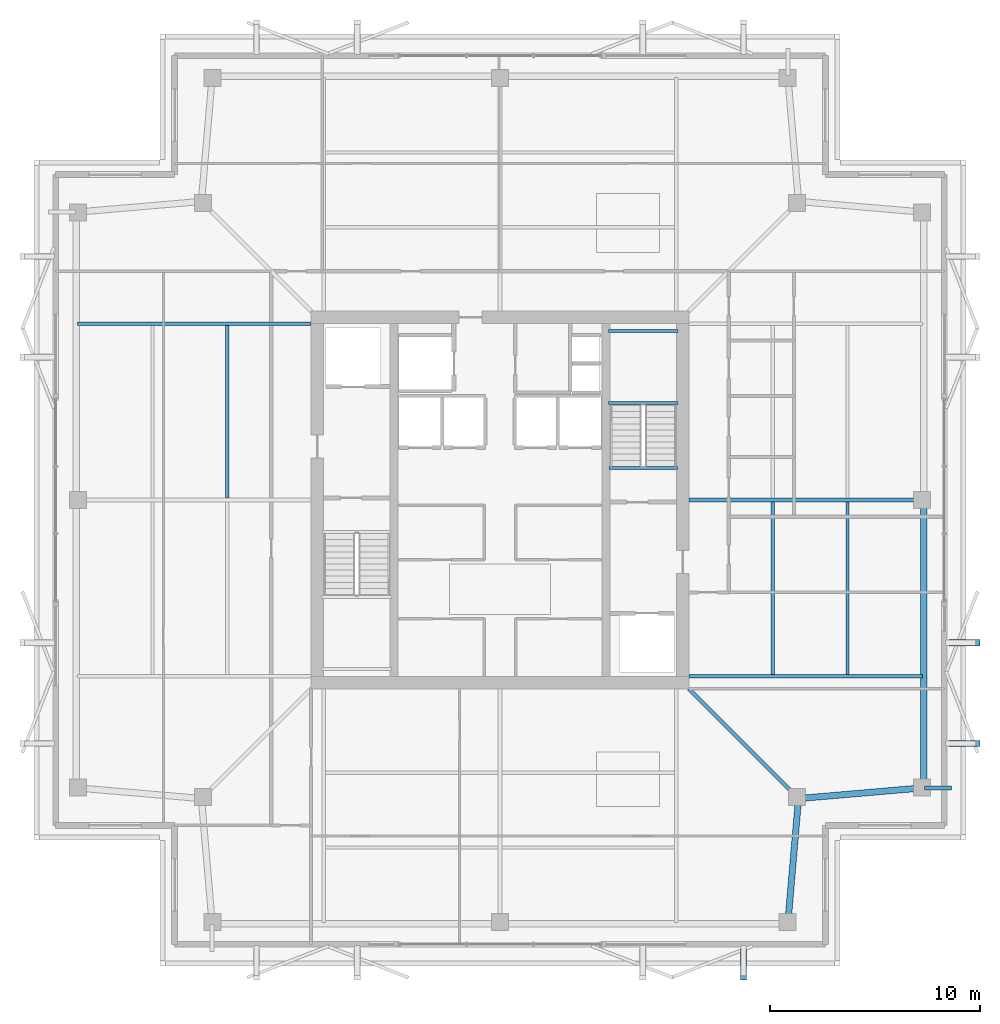
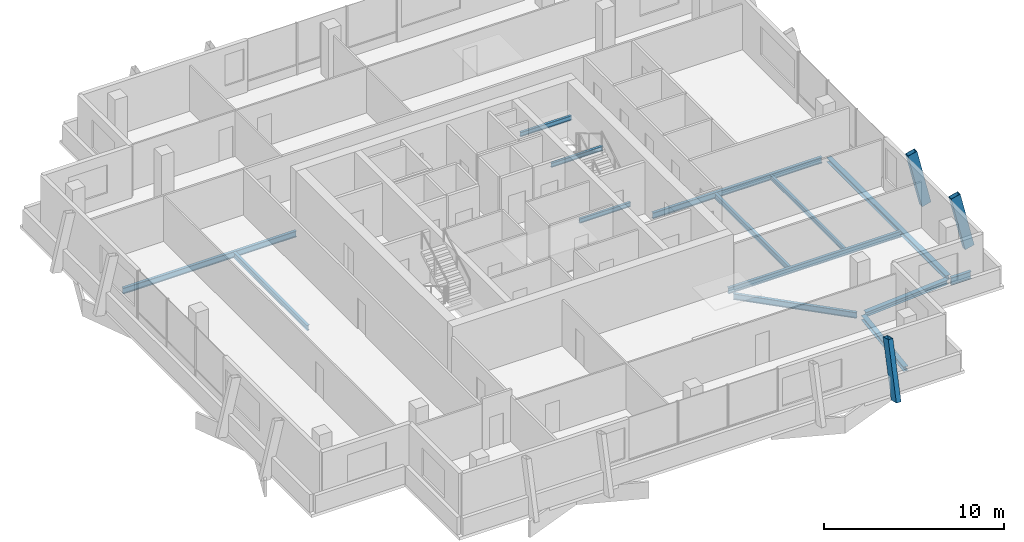
# One storey, part 8 of 18: 14 beams, 3 members.
"""IFC4 building model written with IfcOpenShell, lengths in metres."""

from ifc_helpers import new_model, si_unit, direction, frame, origin, origin_2d, place, context, subcontext, project, spatial, hollow_rectangle, i_section, extrude, material, material_profile, profile_set, type_object, element, save


model = new_model("IFC4")

# Units and contexts
model_context = context("Model", 3, precision=1e-05, world=origin(), true_north=direction((0.0, 1.0)))
body_context = subcontext(model_context, "Body", "Model", "MODEL_VIEW")
ifc_project = project(units=[si_unit("LENGTHUNIT", "METRE"), si_unit("AREAUNIT", "SQUARE_METRE"), si_unit("VOLUMEUNIT", "CUBIC_METRE"), si_unit("PLANEANGLEUNIT", "RADIAN"), si_unit("MASSUNIT", "GRAM", prefix="KILO")], contexts=[model_context])

# Site, building, storey
site_placement = place(None, origin())
site = spatial("IfcSite", under=ifc_project, at=site_placement, CompositionType="ELEMENT")
building_placement = place(site_placement, origin())
building = spatial("IfcBuilding", under=site, at=building_placement, Name="Belovzor Exchange Tower", CompositionType="ELEMENT")
storey_placement = place(building_placement, frame((0.0, 0.0, 344.25)))
storey = spatial("IfcBuildingStorey", under=building, at=storey_placement, Name="L86", CompositionType="ELEMENT", Elevation=344.25)

# Beams
ifc_material_1 = material(Name="Steel S355", Category="steel")
ifc_material_profile_1 = material_profile(ifc_material_1, i_section(OverallWidth=0.199951171875, OverallDepth=0.5, WebThickness=0.01025390625, FlangeThickness=0.01611328125, at=origin_2d()))
ifc_profile_set_1 = profile_set([ifc_material_profile_1], Name="Steel S355")
beam_type_1 = type_object("IfcBeamType", Name="Planted Balcony Cantilever Beam IPE 500", PredefinedType="BEAM", material=ifc_profile_set_1)
beam_1_placement = place(storey_placement, frame((49.01806640625, 15.0869140625, -0.489990234375), z_axis=(1.0, 0.0, 0.0), x_axis=(0.0, 1.0, 0.0)))
element("IfcBeam", 1, at=beam_1_placement, inside=storey, type_object=beam_type_1, Name="BC-500 Planted Balcony Cantilever Beam IPE 500", PredefinedType="BEAM", context=body_context, shape_type="SweptSolid", body=[
    extrude(i_section(OverallWidth=0.199951171875, OverallDepth=0.5, WebThickness=0.01025390625, FlangeThickness=0.01611328125, at=origin_2d()), origin(), (0.0, 0.0, 1.0), 1.281982421875),
])
ifc_material_2 = material(Name="Steel S355", Category="steel")
ifc_material_profile_2 = material_profile(ifc_material_2, i_section(OverallWidth=0.169921875, OverallDepth=0.360107421875, WebThickness=0.008056640625, FlangeThickness=0.0126953125, at=origin_2d()))
ifc_profile_set_2 = profile_set([ifc_material_profile_2], Name="Steel S355")
beam_type_2 = type_object("IfcBeamType", Name="Secondary Infill Floor Joist IPE 360", PredefinedType="BEAM", material=ifc_profile_set_2)
beam_2_placement = place(storey_placement, frame((15.797119140625, 28.889892578125, -0.419921875), z_axis=(0.0, 1.0, 0.0), x_axis=(-1.0, 0.0, 0.0)))
element("IfcBeam", 2, at=beam_2_placement, inside=storey, type_object=beam_type_2, Name="FJ-360 Secondary Infill Floor Joist IPE 360", PredefinedType="BEAM", context=body_context, shape_type="SweptSolid", body=[
    extrude(i_section(OverallWidth=0.169921875, OverallDepth=0.360107421875, WebThickness=0.008056640625, FlangeThickness=0.0126953125, at=origin_2d()), origin(), (0.0, 0.0, 1.0), 8.22021484375),
])
beam_3_placement = place(storey_placement, frame((41.802978515625, 20.489990234375, -0.419921875), z_axis=(0.0, 1.0, 0.0), x_axis=(-1.0, 0.0, 0.0)))
element("IfcBeam", 3, at=beam_3_placement, inside=storey, type_object=beam_type_2, Name="FJ-360 Secondary Infill Floor Joist IPE 360", PredefinedType="BEAM", context=body_context, shape_type="SweptSolid", body=[
    extrude(i_section(OverallWidth=0.169921875, OverallDepth=0.360107421875, WebThickness=0.008056640625, FlangeThickness=0.0126953125, at=origin_2d()), origin(), (0.0, 0.0, 1.0), 8.219970703125),
])
ifc_material_3 = material(Name="Steel S355", Category="steel")
ifc_material_profile_3 = material_profile(ifc_material_3, i_section(OverallWidth=0.14990234375, OverallDepth=0.300048828125, WebThickness=0.007080078125, FlangeThickness=0.0107421875, at=origin_2d()))
ifc_profile_set_3 = profile_set([ifc_material_profile_3], Name="Steel S355")
beam_type_3 = type_object("IfcBeamType", Name="Secondary Trim Floor Joist IPE 300", PredefinedType="BEAM", material=ifc_profile_set_3)
for number, where, z_axis, x_axis, name in (
    (4, (37.280029296875, 33.419921875, 1.52490234375), (-1.0, 0.0, 0.0), (0.0, -1.0, 0.0), "FJ-300 Secondary Trim Floor Joist IPE 300"),
    (5, (37.280029296875, 36.85009765625, 1.52490234375), (-1.0, 0.0, 0.0), (0.0, -1.0, 0.0), "FJ-300 Secondary Trim Floor Joist IPE 300"),
):
    element("IfcBeam", number, at=place(storey_placement, frame(where, z_axis=z_axis, x_axis=x_axis)), inside=storey, type_object=beam_type_3, Name=name, PredefinedType="BEAM", context=body_context, shape_type="SweptSolid", body=[
        extrude(i_section(OverallWidth=0.14990234375, OverallDepth=0.300048828125, WebThickness=0.007080078125, FlangeThickness=0.0107421875, at=origin_2d()), origin(), (0.0, 0.0, 1.0), 3.31005859375),
    ])
beam_4_placement = place(storey_placement, frame((37.260009765625, 30.320068359375, -0.389892578125), z_axis=(-1.0, 0.0, 0.0), x_axis=(0.0, -1.0, 0.0)))
element("IfcBeam", 6, at=beam_4_placement, inside=storey, type_object=beam_type_3, Name="FJ-300 Secondary Trim Floor Joist IPE 300", PredefinedType="BEAM", context=body_context, shape_type="SweptSolid", body=[
    extrude(i_section(OverallWidth=0.14990234375, OverallDepth=0.300048828125, WebThickness=0.007080078125, FlangeThickness=0.0107421875, at=origin_2d()), origin(), (0.0, 0.0, 1.0), 3.27001953125),
])
beam_5_placement = place(storey_placement, frame((45.361083984375, 20.489990234375, -0.389892578125), z_axis=(0.0, 1.0, 0.0), x_axis=(-1.0, 0.0, 0.0)))
element("IfcBeam", 7, at=beam_5_placement, inside=storey, type_object=beam_type_3, Name="FJ-300 Secondary Trim Floor Joist IPE 300", PredefinedType="BEAM", context=body_context, shape_type="SweptSolid", body=[
    extrude(i_section(OverallWidth=0.14990234375, OverallDepth=0.300048828125, WebThickness=0.007080078125, FlangeThickness=0.0107421875, at=origin_2d()), origin(), (0.0, 0.0, 1.0), 8.219970703125),
])

# Members
ifc_material_4 = material(Name="Extruded Architectural Terracotta on Steel S355 Carrier", Category="masonry")
ifc_material_profile_4 = material_profile(ifc_material_4, hollow_rectangle(XDim=0.300048828125, YDim=0.60009765625, WallThickness=0.01611328125, at=origin_2d()))
ifc_profile_set_4 = profile_set([ifc_material_profile_4], Name="Extruded Architectural Terracotta on Steel S355 Carrier")
member_type = type_object("IfcMemberType", Name="Upper Crown Terracotta Fin Assembly 550", PredefinedType="USERDEFINED", material=ifc_profile_set_4)
for number, where, z_axis, x_axis, name in (
    (8, (51.375, 17.199951171875, -0.239990234375), (-0.233349008819, 0.0, 0.972393048146), (0.0, -1.0, 0.0), "FIN-TC055 Terracotta Facade Fin L86 E1"),
    (9, (51.375, 22.0, -0.239990234375), (-0.233349008819, 0.0, 0.972393048146), (0.0, -1.0, 0.0), "FIN-TC055 Terracotta Facade Fin L86 E2"),
    (10, (40.39990234375, 6.22509765625, -0.239990234375), (0.0, 0.233349008819, 0.972393048146), (-1.0, 0.0, 0.0), "FIN-TC055 Terracotta Facade Fin L86 S4"),
):
    element("IfcMember", number, at=place(storey_placement, frame(where, z_axis=z_axis, x_axis=x_axis)), inside=storey, type_object=member_type, Name=name, ObjectType="FIN", PredefinedType="USERDEFINED", context=body_context, shape_type="SweptSolid", body=[
        extrude(hollow_rectangle(XDim=0.300048828125, YDim=0.60009765625, WallThickness=0.01611328125, at=origin_2d()), origin(), (0.0, 0.0, 1.0), 3.8564453125),
    ])

# Beams
ifc_material_5 = material(Name="Steel S355", Category="steel")
ifc_material_profile_5 = material_profile(ifc_material_5, i_section(OverallWidth=0.179931640625, OverallDepth=0.39990234375, WebThickness=0.008544921875, FlangeThickness=0.013427734375, at=origin_2d()))
ifc_profile_set_5 = profile_set([ifc_material_profile_5], Name="Steel S355")
beam_type_4 = type_object("IfcBeamType", Name="Zone 5-6 Radial Composite Floor Beam IPE 400", PredefinedType="BEAM", material=ifc_profile_set_5)
beam_6_placement = place(storey_placement, frame((19.800048828125, 37.199951171875, -0.43994140625), z_axis=(-1.0, 0.0, 0.0), x_axis=(0.0, -1.0, 0.0)))
element("IfcBeam", 11, at=beam_6_placement, inside=storey, type_object=beam_type_4, Name="FB-400 Zone 5-6 Radial Composite Floor Beam IPE 400", PredefinedType="BEAM", context=body_context, shape_type="SweptSolid", body=[
    extrude(i_section(OverallWidth=0.179931640625, OverallDepth=0.39990234375, WebThickness=0.008544921875, FlangeThickness=0.013427734375, at=origin_2d()), origin(), (0.0, 0.0, 1.0), 11.119140625),
])
beam_7_placement = place(storey_placement, frame((37.800048828125, 20.39990234375, -0.43994140625), z_axis=(1.0, 0.0, 0.0), x_axis=(0.0, 1.0, 0.0)))
element("IfcBeam", 12, at=beam_7_placement, inside=storey, type_object=beam_type_4, Name="FB-400 Zone 5-6 Radial Composite Floor Beam IPE 400", PredefinedType="BEAM", context=body_context, shape_type="SweptSolid", body=[
    extrude(i_section(OverallWidth=0.179931640625, OverallDepth=0.39990234375, WebThickness=0.008544921875, FlangeThickness=0.013427734375, at=origin_2d()), origin(), (0.0, 0.0, 1.0), 11.118896484375),
])
beam_8_placement = place(storey_placement, frame((37.800048828125, 28.800048828125, -0.43994140625), z_axis=(1.0, 0.0, 0.0), x_axis=(0.0, 1.0, 0.0)))
element("IfcBeam", 13, at=beam_8_placement, inside=storey, type_object=beam_type_4, Name="FB-400 Zone 5-6 Radial Composite Floor Beam IPE 400", PredefinedType="BEAM", context=body_context, shape_type="SweptSolid", body=[
    extrude(i_section(OverallWidth=0.179931640625, OverallDepth=0.39990234375, WebThickness=0.008544921875, FlangeThickness=0.013427734375, at=origin_2d()), origin(), (0.0, 0.0, 1.0), 10.85400390625),
])
beam_9_placement = place(storey_placement, frame((37.800048828125, 19.800048828125, -0.43994140625), z_axis=(0.707106781187, -0.707106781187, 0.0), x_axis=(0.707106781187, 0.707106781187, 0.0)))
element("IfcBeam", 14, at=beam_9_placement, inside=storey, type_object=beam_type_4, Name="FB-400 Zone 5-6 Radial Composite Floor Beam IPE 400", PredefinedType="BEAM", context=body_context, shape_type="SweptSolid", body=[
    extrude(i_section(OverallWidth=0.179931640625, OverallDepth=0.39990234375, WebThickness=0.008544921875, FlangeThickness=0.013427734375, at=origin_2d()), origin(), (0.0, 0.0, 1.0), 7.103515625),
])
ifc_material_6 = material(Name="Steel S355", Category="steel")
ifc_material_profile_6 = material_profile(ifc_material_6, i_section(OverallWidth=0.300048828125, OverallDepth=0.300048828125, WebThickness=0.008544921875, FlangeThickness=0.013916015625, at=origin_2d()))
ifc_profile_set_6 = profile_set([ifc_material_profile_6], Name="Steel S355")
beam_type_5 = type_object("IfcBeamType", Name="Zone 6 Primary Girder HEA 300", PredefinedType="BEAM", material=ifc_profile_set_6)
for number, where, z_axis, x_axis, name in (
    (15, (42.529052734375, 8.824951171875, -0.389892578125), (0.085508376799, 0.996337451618, 0.0), (-0.996337451618, 0.085508376799, 0.0), "FG-Z6 Zone 6 Primary Girder HEA 300"),
    (16, (43.241943359375, 14.595947265625, -0.389892578125), (0.996333705225, 0.085552018284, 0.0), (-0.085552018284, 0.996333705225, 0.0), "FG-Z6 Zone 6 Primary Girder HEA 300"),
):
    element("IfcBeam", number, at=place(storey_placement, frame(where, z_axis=z_axis, x_axis=x_axis)), inside=storey, type_object=beam_type_5, Name=name, PredefinedType="BEAM", context=body_context, shape_type="SweptSolid", body=[
        extrude(i_section(OverallWidth=0.300048828125, OverallDepth=0.300048828125, WebThickness=0.008544921875, FlangeThickness=0.013916015625, at=origin_2d()), origin(), (0.0, 0.0, 1.0), 5.55322265625),
    ])
beam_10_placement = place(storey_placement, frame((48.993896484375, 15.31005859375, -0.389892578125), z_axis=(0.0, 1.0, 0.0), x_axis=(-1.0, 0.0, 0.0)))
element("IfcBeam", 17, at=beam_10_placement, inside=storey, type_object=beam_type_5, Name="FG-Z6 Zone 6 Primary Girder HEA 300", PredefinedType="BEAM", context=body_context, shape_type="SweptSolid", body=[
    extrude(i_section(OverallWidth=0.300048828125, OverallDepth=0.300048828125, WebThickness=0.008544921875, FlangeThickness=0.013916015625, at=origin_2d()), origin(), (0.0, 0.0, 1.0), 13.27001953125),
])

save(model, "model.ifc")
